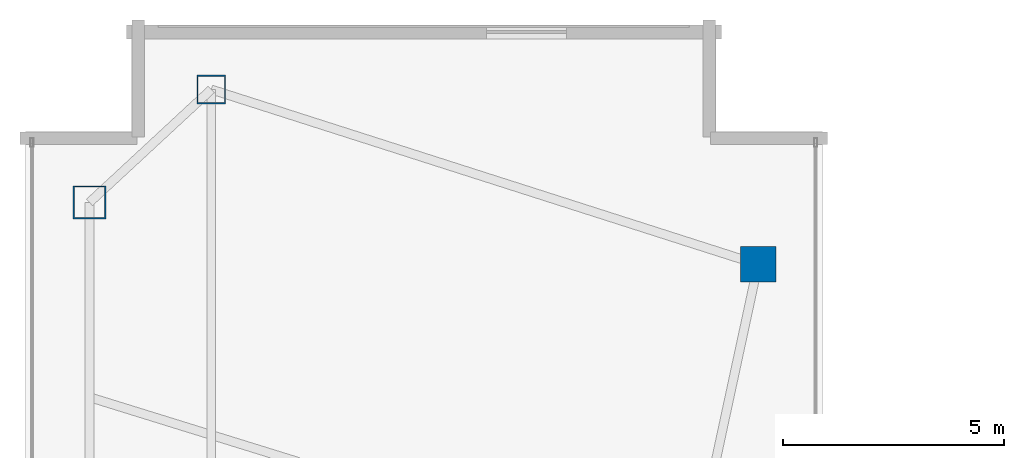
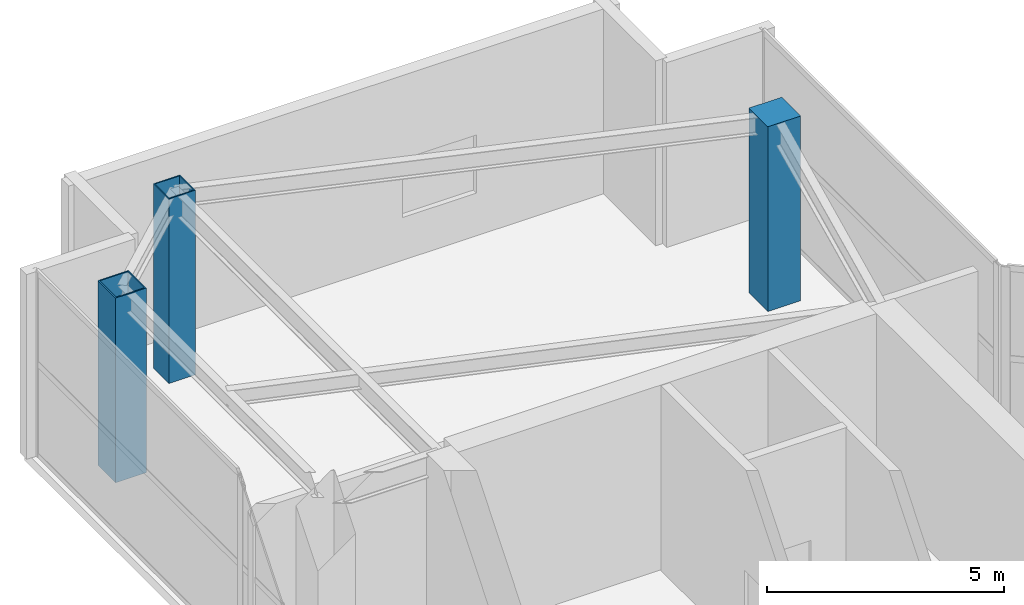
# One storey, part 2 of 21: 3 columns.
"""IFC4 building model written with IfcOpenShell, lengths in metres."""

from ifc_helpers import new_model, si_unit, direction, frame, origin, origin_2d, place, context, subcontext, project, spatial, rectangle, hollow_rectangle, extrude, material, material_profile, profile_set, type_object, element, save


model = new_model("IFC4")

# Units and contexts
model_context = context("Model", 3, precision=1e-05, world=origin(), true_north=direction((0.0, 1.0)))
body_context = subcontext(model_context, "Body", "Model", "MODEL_VIEW")
ifc_project = project(units=[si_unit("LENGTHUNIT", "METRE"), si_unit("AREAUNIT", "SQUARE_METRE"), si_unit("VOLUMEUNIT", "CUBIC_METRE"), si_unit("PLANEANGLEUNIT", "RADIAN"), si_unit("MASSUNIT", "GRAM", prefix="KILO")], contexts=[model_context])

# Site, building, storey
site_placement = place(None, origin())
site = spatial("IfcSite", under=ifc_project, at=site_placement, CompositionType="ELEMENT")
building_placement = place(site_placement, origin())
building = spatial("IfcBuilding", under=site, at=building_placement, Name="Calvorn Quay Hotel", CompositionType="ELEMENT")
storey_placement = place(building_placement, frame((0.0, 0.0, 320.5)))
storey = spatial("IfcBuildingStorey", under=building, at=storey_placement, Name="L79", CompositionType="ELEMENT", Elevation=320.5)

# Columns
ifc_material_1 = material(Name="Concrete C45", Category="concrete")
ifc_material_profile_1 = material_profile(ifc_material_1, rectangle(XDim=0.800048828125, YDim=0.800048828125, at=origin_2d()), Name="RC800x800")
ifc_profile_set_1 = profile_set([ifc_material_profile_1], Name="Concrete C45")
column_type_1 = type_object("IfcColumnType", Name="COL-RC-800", PredefinedType="COLUMN", material=ifc_profile_set_1)
column_1_placement = place(storey_placement, frame((16.550048828125, 45.60009765625, 0.0), z_axis=(0.0, 0.0, 1.0), x_axis=(1.0, 0.0, 0.0)))
element("IfcColumn", 1, at=column_1_placement, inside=storey, type_object=column_type_1, Name="Column C-IC1 (L79)", PredefinedType="COLUMN", context=body_context, shape_type="SweptSolid", body=[
    extrude(rectangle(XDim=0.800048828125, YDim=0.800048828125, at=origin_2d()), origin(), (0.0, 0.0, 1.0), 4.760009765625),
])
ifc_material_2 = material(Name="Steel Q390GJC", Category="steel")
ifc_material_profile_2 = material_profile(ifc_material_2, hollow_rectangle(XDim=0.75, YDim=0.75, WallThickness=0.031982421875, at=origin_2d()), Name="BOX750x750x32")
ifc_profile_set_2 = profile_set([ifc_material_profile_2], Name="Steel Q390GJC")
column_type_2 = type_object("IfcColumnType", Name="COL-STL-Z3", PredefinedType="COLUMN", material=ifc_profile_set_2)
column_2_placement = place(storey_placement, frame((1.449951171875, 47.0, 0.0), z_axis=(0.0, 0.0, 1.0), x_axis=(1.0, 0.0, 0.0)))
element("IfcColumn", 2, at=column_2_placement, inside=storey, type_object=column_type_2, Name="Column C-W5 (L79)", PredefinedType="COLUMN", context=body_context, shape_type="SweptSolid", body=[
    extrude(hollow_rectangle(XDim=0.75, YDim=0.75, WallThickness=0.031982421875, at=origin_2d()), origin(), (0.0, 0.0, 1.0), 4.760009765625),
])
ifc_material_3 = material(Name="Steel Q355B", Category="steel")
ifc_material_profile_3 = material_profile(ifc_material_3, hollow_rectangle(XDim=0.64990234375, YDim=0.64990234375, WallThickness=0.028076171875, at=origin_2d()), Name="BOX650x650x28")
ifc_profile_set_3 = profile_set([ifc_material_profile_3], Name="Steel Q355B")
column_type_3 = type_object("IfcColumnType", Name="COL-STL-Z4", PredefinedType="COLUMN", material=ifc_profile_set_3)
column_3_placement = place(storey_placement, frame((4.199951171875, 49.550048828125, 0.0), z_axis=(0.0, 0.0, 1.0), x_axis=(1.0, 0.0, 0.0)))
element("IfcColumn", 3, at=column_3_placement, inside=storey, type_object=column_type_3, Name="Column C-NW1 (L79)", PredefinedType="COLUMN", context=body_context, shape_type="SweptSolid", body=[
    extrude(hollow_rectangle(XDim=0.64990234375, YDim=0.64990234375, WallThickness=0.028076171875, at=origin_2d()), origin(), (0.0, 0.0, 1.0), 4.760009765625),
])

save(model, "model.ifc")
